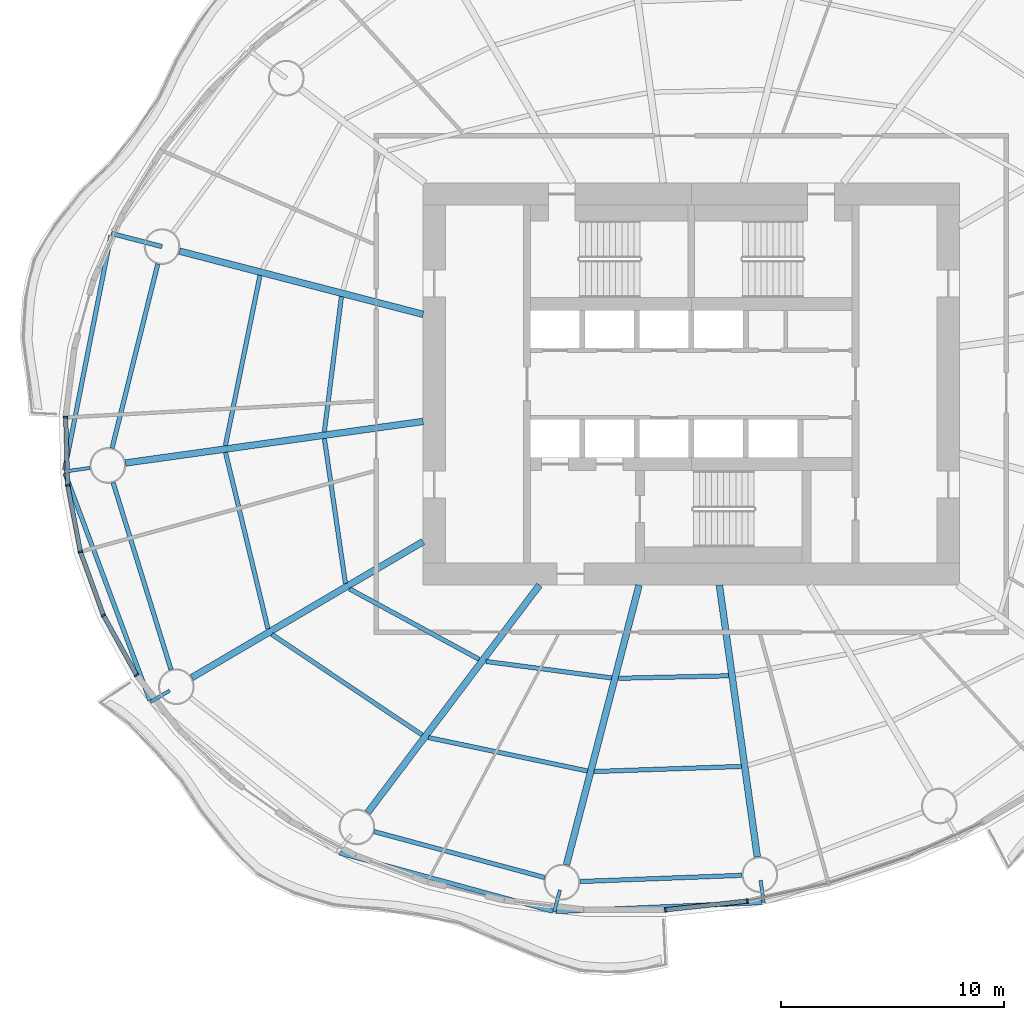
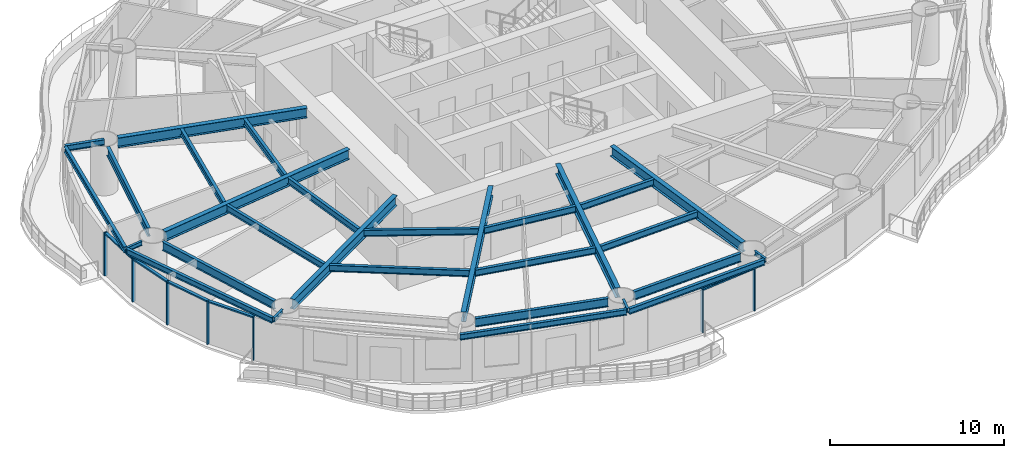
# One storey, part 2 of 16: 29 beams, 12 members, 6 elements without a shape of their own.
"""IFC4 building model written with IfcOpenShell, lengths in metres."""

from ifc_helpers import new_model, si_unit, direction, frame, origin, origin_2d, place, context, subcontext, project, spatial, rectangle, i_section, extrude, material, material_profile, profile_set, type_object, element, aggregate, save


model = new_model("IFC4")

# Units and contexts
model_context = context("Model", 3, precision=1e-05, world=origin(), true_north=direction((0.0, 1.0)))
body_context = subcontext(model_context, "Body", "Model", "MODEL_VIEW")
ifc_project = project(units=[si_unit("LENGTHUNIT", "METRE"), si_unit("AREAUNIT", "SQUARE_METRE"), si_unit("VOLUMEUNIT", "CUBIC_METRE"), si_unit("PLANEANGLEUNIT", "RADIAN"), si_unit("MASSUNIT", "GRAM", prefix="KILO")], contexts=[model_context])

# Site, building, storey
site_placement = place(None, origin())
site = spatial("IfcSite", under=ifc_project, at=site_placement, CompositionType="ELEMENT")
building_placement = place(site_placement, origin())
building = spatial("IfcBuilding", under=site, at=building_placement, Name="Vermilion Reach Broadcast Tower", CompositionType="ELEMENT")
storey_placement = place(building_placement, frame((0.0, 0.0, 95.800048828125)))
storey = spatial("IfcBuildingStorey", under=building, at=storey_placement, Name="L21", CompositionType="ELEMENT", Elevation=95.800048828125)

# Beams
ifc_material_1 = material(Name="Steel S355J2", Category="steel")
ifc_material_profile_1 = material_profile(ifc_material_1, i_section(OverallWidth=0.199951171875, OverallDepth=0.39990234375, WebThickness=0.008056640625, FlangeThickness=0.012939453125, at=origin_2d()), Name="S355J2 HN 400x200x8x13")
ifc_profile_set_1 = profile_set([ifc_material_profile_1], Name="Steel S355J2")
beam_type_1 = type_object("IfcBeamType", Name="EB2 HN 400x200x8x13", PredefinedType="BEAM", material=ifc_profile_set_1)
beam_1_placement = place(storey_placement, frame((-31.9697265625, 6.63720703125, 3.25), z_axis=(-0.193635927189, -0.981073456833, 0.0), x_axis=(0.981073456833, -0.193635927189, 0.0)))
element("IfcBeam", 1, at=beam_1_placement, inside=storey, type_object=beam_type_1, Name="Edge beam EB2-07", PredefinedType="BEAM", context=body_context, shape_type="SweptSolid", body=[
    extrude(i_section(OverallWidth=0.199951171875, OverallDepth=0.39990234375, WebThickness=0.008056640625, FlangeThickness=0.012939453125, at=origin_2d()), origin(), (0.0, 0.0, 1.0), 10.67919921875),
])
beam_2_placement = place(storey_placement, frame((-34.026123046875, -3.989501953125, 3.25), z_axis=(0.350179030407, -0.936682788709, 0.0), x_axis=(0.936682788709, 0.350179030407, 0.0)))
element("IfcBeam", 2, at=beam_2_placement, inside=storey, type_object=beam_type_1, Name="Edge beam EB2-08", PredefinedType="BEAM", context=body_context, shape_type="SweptSolid", body=[
    extrude(i_section(OverallWidth=0.199951171875, OverallDepth=0.39990234375, WebThickness=0.008056640625, FlangeThickness=0.012939453125, at=origin_2d()), origin(), (0.0, 0.0, 1.0), 10.8525390625),
])
beam_3_placement = place(storey_placement, frame((-21.747802734375, -20.984375, 3.25), z_axis=(0.964735920715, -0.263219686349, 0.0), x_axis=(0.263219686349, 0.964735920715, 0.0)))
element("IfcBeam", 3, at=beam_3_placement, inside=storey, type_object=beam_type_1, Name="Edge beam EB2-10", PredefinedType="BEAM", context=body_context, shape_type="SweptSolid", body=[
    extrude(i_section(OverallWidth=0.199951171875, OverallDepth=0.39990234375, WebThickness=0.008056640625, FlangeThickness=0.012939453125, at=origin_2d()), origin(), (0.0, 0.0, 1.0), 9.896484375),
])
beam_4_placement = place(storey_placement, frame((-12.04931640625, -23.605712890625, 3.25), z_axis=(0.999051457618, 0.043545206746, 0.0), x_axis=(-0.043545206746, 0.999051457618, 0.0)))
element("IfcBeam", 4, at=beam_4_placement, inside=storey, type_object=beam_type_1, Name="Edge beam EB2-11", PredefinedType="BEAM", context=body_context, shape_type="SweptSolid", body=[
    extrude(i_section(OverallWidth=0.199951171875, OverallDepth=0.39990234375, WebThickness=0.008056640625, FlangeThickness=0.012939453125, at=origin_2d()), origin(), (0.0, 0.0, 1.0), 9.222900390625),
])
ifc_material_2 = material(Name="Steel S355J2", Category="steel")
ifc_material_profile_2 = material_profile(ifc_material_2, i_section(OverallWidth=0.300048828125, OverallDepth=0.699951171875, WebThickness=0.012939453125, FlangeThickness=0.02392578125, at=origin_2d()), Name="S355J2 HN 700x300x13x24")
ifc_profile_set_2 = profile_set([ifc_material_profile_2], Name="Steel S355J2")
beam_type_2 = type_object("IfcBeamType", Name="G2 HN 700x300x13x24", PredefinedType="BEAM", material=ifc_profile_set_2)
beam_5_placement = place(storey_placement, frame((-18.0, 3.114501953125, 3.099853515625), z_axis=(-0.967926079816, 0.2512351568, 0.0), x_axis=(-0.2512351568, -0.967926079816, 0.0)))
element("IfcBeam", 5, at=beam_5_placement, inside=storey, type_object=beam_type_2, Name="Girder G2-07", PredefinedType="BEAM", context=body_context, shape_type="SweptSolid", body=[
    extrude(i_section(OverallWidth=0.300048828125, OverallDepth=0.699951171875, WebThickness=0.012939453125, FlangeThickness=0.02392578125, at=origin_2d()), origin(), (0.0, 0.0, 1.0), 11.265625),
])
beam_6_placement = place(storey_placement, frame((-18.0, -1.67578125, 3.099853515625), z_axis=(-0.990389457618, -0.138306623986, 0.0), x_axis=(0.138306623986, -0.990389457618, 0.0)))
element("IfcBeam", 6, at=beam_6_placement, inside=storey, type_object=beam_type_2, Name="Girder G2-08", PredefinedType="BEAM", context=body_context, shape_type="SweptSolid", body=[
    extrude(i_section(OverallWidth=0.300048828125, OverallDepth=0.699951171875, WebThickness=0.012939453125, FlangeThickness=0.02392578125, at=origin_2d()), origin(), (0.0, 0.0, 1.0), 13.445556640625),
])
beam_7_placement = place(storey_placement, frame((-18.0, -7.054443359375, 3.099853515625), z_axis=(-0.862071616631, -0.506786471603, 0.0), x_axis=(0.506786471603, -0.862071616631, 0.0)))
element("IfcBeam", 7, at=beam_7_placement, inside=storey, type_object=beam_type_2, Name="Girder G2-09", PredefinedType="BEAM", context=body_context, shape_type="SweptSolid", body=[
    extrude(i_section(OverallWidth=0.300048828125, OverallDepth=0.699951171875, WebThickness=0.012939453125, FlangeThickness=0.02392578125, at=origin_2d()), origin(), (0.0, 0.0, 1.0), 12.01025390625),
])
beam_8_placement = place(storey_placement, frame((-12.794189453125, -9.0, 3.099853515625), z_axis=(-0.602519842365, -0.798103902733, 0.0), x_axis=(0.798103902733, -0.602519842365, 0.0)))
element("IfcBeam", 8, at=beam_8_placement, inside=storey, type_object=beam_type_2, Name="Girder G2-10", PredefinedType="BEAM", context=body_context, shape_type="SweptSolid", body=[
    extrude(i_section(OverallWidth=0.300048828125, OverallDepth=0.699951171875, WebThickness=0.012939453125, FlangeThickness=0.02392578125, at=origin_2d()), origin(), (0.0, 0.0, 1.0), 12.758544921875),
])
beam_9_placement = place(storey_placement, frame((-8.3359375, -9.0, 3.099853515625), z_axis=(-0.25121695316, -0.967930804575, 0.0), x_axis=(0.967930804575, -0.25121695316, 0.0)))
element("IfcBeam", 9, at=beam_9_placement, inside=storey, type_object=beam_type_2, Name="Girder G2-11", PredefinedType="BEAM", context=body_context, shape_type="SweptSolid", body=[
    extrude(i_section(OverallWidth=0.300048828125, OverallDepth=0.699951171875, WebThickness=0.012939453125, FlangeThickness=0.02392578125, at=origin_2d()), origin(), (0.0, 0.0, 1.0), 12.93505859375),
])
beam_10_placement = place(storey_placement, frame((-4.7431640625, -9.0, 3.099853515625), z_axis=(0.138317561234, -0.990387930184, 0.0), x_axis=(0.990387930184, 0.138317561234, 0.0)))
element("IfcBeam", 10, at=beam_10_placement, inside=storey, type_object=beam_type_2, Name="Girder G2-12", PredefinedType="BEAM", context=body_context, shape_type="SweptSolid", body=[
    extrude(i_section(OverallWidth=0.300048828125, OverallDepth=0.699951171875, WebThickness=0.012939453125, FlangeThickness=0.02392578125, at=origin_2d()), origin(), (0.0, 0.0, 1.0), 12.281494140625),
])
ifc_material_3 = material(Name="Steel S355J2", Category="steel")
ifc_material_profile_3 = material_profile(ifc_material_3, i_section(OverallWidth=0.199951171875, OverallDepth=0.39990234375, WebThickness=0.008056640625, FlangeThickness=0.012939453125, at=origin_2d()), Name="S355J2 HN 400x200x8x13")
ifc_profile_set_3 = profile_set([ifc_material_profile_3], Name="Steel S355J2")
beam_type_3 = type_object("IfcBeamType", Name="GC2 HN 400x200x8x13", PredefinedType="BEAM", material=ifc_profile_set_3)
beam_11_placement = place(storey_placement, frame((-29.6787109375, 6.145751953125, 3.25), z_axis=(-0.96793134959, 0.251214853225, 0.0), x_axis=(-0.251214853225, -0.96793134959, 0.0)))
element("IfcBeam", 11, at=beam_11_placement, inside=storey, type_object=beam_type_3, Name="Cantilever girder GC2-07", PredefinedType="BEAM", context=body_context, shape_type="SweptSolid", body=[
    extrude(i_section(OverallWidth=0.199951171875, OverallDepth=0.39990234375, WebThickness=0.008056640625, FlangeThickness=0.012939453125, at=origin_2d()), origin(), (0.0, 0.0, 1.0), 2.346923828125),
])
ifc_material_4 = material(Name="Steel S355J2", Category="steel")
ifc_material_profile_4 = material_profile(ifc_material_4, i_section(OverallWidth=0.14990234375, OverallDepth=0.300048828125, WebThickness=0.006591796875, FlangeThickness=0.009033203125, at=origin_2d()), Name="S355J2 HN 300x150x6.5x9")
ifc_profile_set_4 = profile_set([ifc_material_profile_4], Name="Steel S355J2")
beam_type_4 = type_object("IfcBeamType", Name="GS2 HN 300x150x6.5x9", PredefinedType="BEAM", material=ifc_profile_set_4)
beam_12_placement = place(storey_placement, frame((-32.901123046875, -3.7568359375, 3.300048828125), z_axis=(-0.990385508733, -0.138334898316, 0.0), x_axis=(0.138334898316, -0.990385508733, 0.0)))
element("IfcBeam", 12, at=beam_12_placement, inside=storey, type_object=beam_type_4, Name="Cantilever stub GS2-08", PredefinedType="BEAM", context=body_context, shape_type="SweptSolid", body=[
    extrude(i_section(OverallWidth=0.14990234375, OverallDepth=0.300048828125, WebThickness=0.006591796875, FlangeThickness=0.009033203125, at=origin_2d()), origin(), (0.0, 0.0, 1.0), 1.1630859375),
])
beam_13_placement = place(storey_placement, frame((-29.337158203125, -13.71923828125, 3.300048828125), z_axis=(-0.862047161964, -0.506828068037, 0.0), x_axis=(0.506828068037, -0.862047161964, 0.0)))
element("IfcBeam", 13, at=beam_13_placement, inside=storey, type_object=beam_type_4, Name="Cantilever stub GS2-09", PredefinedType="BEAM", context=body_context, shape_type="SweptSolid", body=[
    extrude(i_section(OverallWidth=0.14990234375, OverallDepth=0.300048828125, WebThickness=0.006591796875, FlangeThickness=0.009033203125, at=origin_2d()), origin(), (0.0, 0.0, 1.0), 1.0),
])
beam_14_placement = place(storey_placement, frame((-11.87646484375, -22.641357421875, 3.300048828125), z_axis=(-0.251258738033, -0.967919958758, 0.0), x_axis=(0.967919958758, -0.251258738033, 0.0)))
element("IfcBeam", 14, at=beam_14_placement, inside=storey, type_object=beam_type_4, Name="Cantilever stub GS2-11", PredefinedType="BEAM", context=body_context, shape_type="SweptSolid", body=[
    extrude(i_section(OverallWidth=0.14990234375, OverallDepth=0.300048828125, WebThickness=0.006591796875, FlangeThickness=0.009033203125, at=origin_2d()), origin(), (0.0, 0.0, 1.0), 0.999755859375),
])
beam_15_placement = place(storey_placement, frame((-2.898193359375, -22.21044921875, 3.300048828125), z_axis=(0.13817375644, -0.990408003315, 0.0), x_axis=(0.990408003315, 0.13817375644, 0.0)))
element("IfcBeam", 15, at=beam_15_placement, inside=storey, type_object=beam_type_4, Name="Cantilever stub GS2-12", PredefinedType="BEAM", context=body_context, shape_type="SweptSolid", body=[
    extrude(i_section(OverallWidth=0.14990234375, OverallDepth=0.300048828125, WebThickness=0.006591796875, FlangeThickness=0.009033203125, at=origin_2d()), origin(), (0.0, 0.0, 1.0), 1.0),
])
ifc_material_5 = material(Name="Steel S355J2", Category="steel")
ifc_material_profile_5 = material_profile(ifc_material_5, i_section(OverallWidth=0.199951171875, OverallDepth=0.60009765625, WebThickness=0.010986328125, FlangeThickness=0.01708984375, at=origin_2d()), Name="S355J2 HN 600x200x11x17")
ifc_profile_set_5 = profile_set([ifc_material_profile_5], Name="Steel S355J2")
beam_type_5 = type_object("IfcBeamType", Name="RB2 HN 600x200x11x17", PredefinedType="BEAM", material=ifc_profile_set_5)
beam_16_placement = place(storey_placement, frame((-29.871337890625, 5.369384765625, 3.14990234375), z_axis=(-0.240863809798, -0.970558924089, 0.0), x_axis=(0.970558924089, -0.240863809798, 0.0)))
element("IfcBeam", 16, at=beam_16_placement, inside=storey, type_object=beam_type_5, Name="Ring beam RB2-07", PredefinedType="BEAM", context=body_context, shape_type="SweptSolid", body=[
    extrude(i_section(OverallWidth=0.199951171875, OverallDepth=0.60009765625, WebThickness=0.010986328125, FlangeThickness=0.01708984375, at=origin_2d()), origin(), (0.0, 0.0, 1.0), 8.489013671875),
])
beam_17_placement = place(storey_placement, frame((-31.872314453125, -4.410400390625, 3.14990234375), z_axis=(0.295788439635, -0.95525347368, 0.0), x_axis=(0.95525347368, 0.295788439635, 0.0)))
element("IfcBeam", 17, at=beam_17_placement, inside=storey, type_object=beam_type_5, Name="Ring beam RB2-08", PredefinedType="BEAM", context=body_context, shape_type="SweptSolid", body=[
    extrude(i_section(OverallWidth=0.199951171875, OverallDepth=0.60009765625, WebThickness=0.010986328125, FlangeThickness=0.01708984375, at=origin_2d()), origin(), (0.0, 0.0, 1.0), 8.763916015625),
])
beam_18_placement = place(storey_placement, frame((-20.19091796875, -20.029296875, 3.14990234375), z_axis=(0.965541463834, -0.260249268234, 0.0), x_axis=(0.260249268234, 0.965541463834, 0.0)))
element("IfcBeam", 18, at=beam_18_placement, inside=storey, type_object=beam_type_5, Name="Ring beam RB2-10", PredefinedType="BEAM", context=body_context, shape_type="SweptSolid", body=[
    extrude(i_section(OverallWidth=0.199951171875, OverallDepth=0.60009765625, WebThickness=0.010986328125, FlangeThickness=0.01708984375, at=origin_2d()), origin(), (0.0, 0.0, 1.0), 7.904541015625),
])
beam_19_placement = place(storey_placement, frame((-10.987060546875, -22.263916015625, 3.14990234375), z_axis=(0.999268558327, 0.038240663418, 0.0), x_axis=(-0.038240663418, 0.999268558327, 0.0)))
element("IfcBeam", 19, at=beam_19_placement, inside=storey, type_object=beam_type_5, Name="Ring beam RB2-11", PredefinedType="BEAM", context=body_context, shape_type="SweptSolid", body=[
    extrude(i_section(OverallWidth=0.199951171875, OverallDepth=0.60009765625, WebThickness=0.010986328125, FlangeThickness=0.01708984375, at=origin_2d()), origin(), (0.0, 0.0, 1.0), 7.259033203125),
])
ifc_material_6 = material(Name="Steel S355J2", Category="steel")
ifc_material_profile_6 = material_profile(ifc_material_6, i_section(OverallWidth=0.199951171875, OverallDepth=0.449951171875, WebThickness=0.009033203125, FlangeThickness=0.013916015625, at=origin_2d()), Name="S355J2 HN 450x200x9x14")
ifc_profile_set_6 = profile_set([ifc_material_profile_6], Name="Steel S355J2")
beam_type_6 = type_object("IfcBeamType", Name="SB2 HN 450x200x9x14", PredefinedType="BEAM", material=ifc_profile_set_6)
beam_20_placement = place(storey_placement, frame((-21.65380859375, 3.907958984375, 3.224853515625), z_axis=(-0.125557241128, -0.992086376885, 0.0), x_axis=(0.992086376885, -0.125557241128, 0.0)))
element("IfcBeam", 20, at=beam_20_placement, inside=storey, type_object=beam_type_6, Name="Secondary beam SB2-07-1", PredefinedType="BEAM", context=body_context, shape_type="SweptSolid", body=[
    extrude(i_section(OverallWidth=0.199951171875, OverallDepth=0.449951171875, WebThickness=0.009033203125, FlangeThickness=0.013916015625, at=origin_2d()), origin(), (0.0, 0.0, 1.0), 6.097900390625),
])
beam_21_placement = place(storey_placement, frame((-25.29931640625, 4.854248046875, 3.224853515625), z_axis=(-0.19906416804, -0.979986457561, 0.0), x_axis=(0.979986457561, -0.19906416804, 0.0)))
element("IfcBeam", 21, at=beam_21_placement, inside=storey, type_object=beam_type_6, Name="Secondary beam SB2-07-2", PredefinedType="BEAM", context=body_context, shape_type="SweptSolid", body=[
    extrude(i_section(OverallWidth=0.199951171875, OverallDepth=0.449951171875, WebThickness=0.009033203125, FlangeThickness=0.013916015625, at=origin_2d()), origin(), (0.0, 0.0, 1.0), 7.76953125),
])
beam_22_placement = place(storey_placement, frame((-22.417236328125, -2.444091796875, 3.224853515625), z_axis=(0.143973706518, -0.989581513485, 0.0), x_axis=(0.989581513485, 0.143973706518, 0.0)))
element("IfcBeam", 22, at=beam_22_placement, inside=storey, type_object=beam_type_6, Name="Secondary beam SB2-08-1", PredefinedType="BEAM", context=body_context, shape_type="SweptSolid", body=[
    extrude(i_section(OverallWidth=0.199951171875, OverallDepth=0.449951171875, WebThickness=0.009033203125, FlangeThickness=0.013916015625, at=origin_2d()), origin(), (0.0, 0.0, 1.0), 6.547119140625),
])
beam_23_placement = place(storey_placement, frame((-26.84228515625, -3.06201171875, 3.224853515625), z_axis=(0.234260568382, -0.972173845617, 0.0), x_axis=(0.972173845617, 0.234260568382, 0.0)))
element("IfcBeam", 23, at=beam_23_placement, inside=storey, type_object=beam_type_6, Name="Secondary beam SB2-08-2", PredefinedType="BEAM", context=body_context, shape_type="SweptSolid", body=[
    extrude(i_section(OverallWidth=0.199951171875, OverallDepth=0.449951171875, WebThickness=0.009033203125, FlangeThickness=0.013916015625, at=origin_2d()), origin(), (0.0, 0.0, 1.0), 8.123779296875),
])
beam_24_placement = place(storey_placement, frame((-21.29736328125, -9.1669921875, 3.224853515625), z_axis=(0.878713106774, -0.477350265512, 0.0), x_axis=(0.477350265512, 0.878713106774, 0.0)))
element("IfcBeam", 24, at=beam_24_placement, inside=storey, type_object=beam_type_6, Name="Secondary beam SB2-09-1", PredefinedType="BEAM", context=body_context, shape_type="SweptSolid", body=[
    extrude(i_section(OverallWidth=0.199951171875, OverallDepth=0.449951171875, WebThickness=0.009033203125, FlangeThickness=0.013916015625, at=origin_2d()), origin(), (0.0, 0.0, 1.0), 6.60888671875),
])
beam_25_placement = place(storey_placement, frame((-24.76416015625, -11.204833984375, 3.224853515625), z_axis=(0.830915400975, -0.556398774641, 0.0), x_axis=(0.556398774641, 0.830915400975, 0.0)))
element("IfcBeam", 25, at=beam_25_placement, inside=storey, type_object=beam_type_6, Name="Secondary beam SB2-09-2", PredefinedType="BEAM", context=body_context, shape_type="SweptSolid", body=[
    extrude(i_section(OverallWidth=0.199951171875, OverallDepth=0.449951171875, WebThickness=0.009033203125, FlangeThickness=0.013916015625, at=origin_2d()), origin(), (0.0, 0.0, 1.0), 8.087646484375),
])
beam_26_placement = place(storey_placement, frame((-15.185546875, -12.416748046875, 3.224853515625), z_axis=(0.991498686864, -0.130116693573, 0.0), x_axis=(0.130116693573, 0.991498686864, 0.0)))
element("IfcBeam", 26, at=beam_26_placement, inside=storey, type_object=beam_type_6, Name="Secondary beam SB2-10-1", PredefinedType="BEAM", context=body_context, shape_type="SweptSolid", body=[
    extrude(i_section(OverallWidth=0.199951171875, OverallDepth=0.449951171875, WebThickness=0.009033203125, FlangeThickness=0.013916015625, at=origin_2d()), origin(), (0.0, 0.0, 1.0), 5.66455078125),
])
beam_27_placement = place(storey_placement, frame((-17.7568359375, -15.822509765625, 3.224853515625), z_axis=(0.978631382549, -0.205622511148, 0.0), x_axis=(0.205622511148, 0.978631382549, 0.0)))
element("IfcBeam", 27, at=beam_27_placement, inside=storey, type_object=beam_type_6, Name="Secondary beam SB2-10-2", PredefinedType="BEAM", context=body_context, shape_type="SweptSolid", body=[
    extrude(i_section(OverallWidth=0.199951171875, OverallDepth=0.449951171875, WebThickness=0.009033203125, FlangeThickness=0.013916015625, at=origin_2d()), origin(), (0.0, 0.0, 1.0), 7.262939453125),
])
beam_28_placement = place(storey_placement, frame((-9.26318359375, -13.169921875, 3.224853515625), z_axis=(0.999742320425, 0.022700060602, 0.0), x_axis=(-0.022700060602, 0.999742320425, 0.0)))
element("IfcBeam", 28, at=beam_28_placement, inside=storey, type_object=beam_type_6, Name="Secondary beam SB2-11-1", PredefinedType="BEAM", context=body_context, shape_type="SweptSolid", body=[
    extrude(i_section(OverallWidth=0.199951171875, OverallDepth=0.449951171875, WebThickness=0.009033203125, FlangeThickness=0.013916015625, at=origin_2d()), origin(), (0.0, 0.0, 1.0), 4.9365234375),
])
beam_29_placement = place(storey_placement, frame((-10.345947265625, -17.34130859375, 3.224853515625), z_axis=(0.999404722387, 0.03449928797, 0.0), x_axis=(-0.03449928797, 0.999404722387, 0.0)))
element("IfcBeam", 29, at=beam_29_placement, inside=storey, type_object=beam_type_6, Name="Secondary beam SB2-11-2", PredefinedType="BEAM", context=body_context, shape_type="SweptSolid", body=[
    extrude(i_section(OverallWidth=0.199951171875, OverallDepth=0.449951171875, WebThickness=0.009033203125, FlangeThickness=0.013916015625, at=origin_2d()), origin(), (0.0, 0.0, 1.0), 6.58837890625),
])

# Curtain wall, member
ifc_material_7 = material(Name="Low-e laminated clear glass in aluminium frame", Category="aluminium")
curtain_wall_type = type_object("IfcCurtainWallType", Name="Slot curtain wall", PredefinedType="NOTDEFINED", material=ifc_material_7)
placement = place(storey_placement, origin())
curtain_wall_1 = element("IfcCurtainWall", 30, at=placement, inside=storey, type_object=curtain_wall_type, Name="Slot curtain wall L21 22", PredefinedType="NOTDEFINED")
ifc_material_8 = material(Name="Anodised aluminium", Category="aluminium")
ifc_material_profile_7 = material_profile(ifc_material_8, rectangle(XDim=0.199951171875, YDim=0.080078125, at=origin_2d()), Name="Slot mullion 80 x 200")
ifc_profile_set_7 = profile_set([ifc_material_profile_7], Name="Anodised aluminium")
member_type_1 = type_object("IfcMemberType", Name="Slot mullion 80 x 200", PredefinedType="MULLION", material=ifc_profile_set_7)
member_1_placement = place(storey_placement, frame((-33.992919921875, -1.4853515625, 0.0), z_axis=(0.0, 0.0, 1.0), x_axis=(0.998878800826, -0.047340693494, 0.0)))
member_1 = element("IfcMember", 31, at=member_1_placement, type_object=member_type_1, Name="Slot mullion L21 22", PredefinedType="MULLION", context=body_context, shape_type="SweptSolid", body=[
    extrude(rectangle(XDim=0.199951171875, YDim=0.080078125, at=origin_2d()), origin(), (0.0, 0.0, 1.0), 3.050048828125),
])

curtain_wall_2 = element("IfcCurtainWall", 32, at=placement, inside=storey, type_object=curtain_wall_type, Name="Slot curtain wall L21 23", PredefinedType="NOTDEFINED")
member_2_placement = place(storey_placement, frame((-33.901611328125, -4.5361328125, 0.0), z_axis=(0.0, 0.0, 1.0), x_axis=(0.994054204078, 0.108886359823, 0.0)))
member_2 = element("IfcMember", 33, at=member_2_placement, type_object=member_type_1, Name="Slot mullion L21 23", PredefinedType="MULLION", context=body_context, shape_type="SweptSolid", body=[
    extrude(rectangle(XDim=0.199951171875, YDim=0.080078125, at=origin_2d()), origin(), (0.0, 0.0, 1.0), 3.050048828125),
])

curtain_wall_3 = element("IfcCurtainWall", 34, at=placement, inside=storey, type_object=curtain_wall_type, Name="Slot curtain wall L21 24", PredefinedType="NOTDEFINED")
member_3_placement = place(storey_placement, frame((-33.335205078125, -7.5087890625, 0.0), z_axis=(0.0, 0.0, 1.0), x_axis=(0.964280534329, 0.264883089521, 0.0)))
member_3 = element("IfcMember", 35, at=member_3_placement, type_object=member_type_1, Name="Slot mullion L21 24", PredefinedType="MULLION", context=body_context, shape_type="SweptSolid", body=[
    extrude(rectangle(XDim=0.199951171875, YDim=0.080078125, at=origin_2d()), origin(), (0.0, 0.0, 1.0), 3.050048828125),
])

# Curtain wall, members
curtain_wall_4 = element("IfcCurtainWall", 36, at=placement, inside=storey, type_object=curtain_wall_type, Name="Slot curtain wall L21 25", PredefinedType="NOTDEFINED")
member_4_placement = place(storey_placement, frame((-32.303466796875, -10.353759765625, 0.0), z_axis=(0.0, 0.0, 1.0), x_axis=(0.910186416265, 0.414198850369, 0.0)))
member_4 = element("IfcMember", 37, at=member_4_placement, type_object=member_type_1, Name="Slot mullion L21 25", PredefinedType="MULLION", context=body_context, shape_type="SweptSolid", body=[
    extrude(rectangle(XDim=0.199951171875, YDim=0.080078125, at=origin_2d()), origin(), (0.0, 0.0, 1.0), 3.050048828125),
])
member_5_placement = place(storey_placement, frame((-30.823486328125, -13.023193359375, 0.0), z_axis=(0.0, 0.0, 1.0), x_axis=(0.834526522508, 0.550967769684, 0.0)))
member_5 = element("IfcMember", 38, at=member_5_placement, type_object=member_type_1, Name="Slot mullion L21 26", PredefinedType="MULLION", context=body_context, shape_type="SweptSolid", body=[
    extrude(rectangle(XDim=0.199951171875, YDim=0.080078125, at=origin_2d()), origin(), (0.0, 0.0, 1.0), 3.050048828125),
])

# Curtain wall, member
curtain_wall_5 = element("IfcCurtainWall", 39, at=placement, inside=storey, type_object=curtain_wall_type, Name="Slot curtain wall L21 34", PredefinedType="NOTDEFINED")
member_6_placement = place(storey_placement, frame((-7.158935546875, -23.52978515625, 0.0), z_axis=(0.0, 0.0, 1.0), x_axis=(-0.05162143582, 0.998666724871, 0.0)))
member_6 = element("IfcMember", 40, at=member_6_placement, type_object=member_type_1, Name="Slot mullion L21 34", PredefinedType="MULLION", context=body_context, shape_type="SweptSolid", body=[
    extrude(rectangle(XDim=0.199951171875, YDim=0.080078125, at=origin_2d()), origin(), (0.0, 0.0, 1.0), 3.050048828125),
])

curtain_wall_6 = element("IfcCurtainWall", 41, at=placement, inside=storey, type_object=curtain_wall_type, Name="Slot curtain wall L21 35", PredefinedType="NOTDEFINED")
member_7_placement = place(storey_placement, frame((-3.48876953125, -23.137451171875, 0.0), z_axis=(0.0, 0.0, 1.0), x_axis=(-0.159778927645, 0.987152822151, 0.0)))
member_7 = element("IfcMember", 42, at=member_7_placement, type_object=member_type_1, Name="Slot mullion L21 35", PredefinedType="MULLION", context=body_context, shape_type="SweptSolid", body=[
    extrude(rectangle(XDim=0.199951171875, YDim=0.080078125, at=origin_2d()), origin(), (0.0, 0.0, 1.0), 3.050048828125),
])
aggregate(curtain_wall_6, [member_7])

# Member
ifc_material_9 = material(Name="Anodised aluminium", Category="aluminium")
ifc_material_profile_8 = material_profile(ifc_material_9, rectangle(XDim=0.199951171875, YDim=0.10009765625, at=origin_2d()), Name="Slot transom 200 x 100")
ifc_profile_set_8 = profile_set([ifc_material_profile_8], Name="Anodised aluminium")
member_type_2 = type_object("IfcMemberType", Name="Slot transom 200 x 100", PredefinedType="USERDEFINED", material=ifc_profile_set_8)
member_8_placement = place(storey_placement, frame((-33.99169921875, -1.525390625, 3.0), z_axis=(0.029901153947, -0.999552860529, 0.0), x_axis=(0.999552860529, 0.029901153947, 0.0)))
member_8 = element("IfcMember", 43, at=member_8_placement, type_object=member_type_2, Name="Slot transom L21 22.1", ObjectType="TRANSOM", PredefinedType="USERDEFINED", context=body_context, shape_type="SweptSolid", body=[
    extrude(rectangle(XDim=0.199951171875, YDim=0.10009765625, at=origin_2d()), origin(), (0.0, 0.0, 1.0), 2.971923828125),
])

aggregate(curtain_wall_1, [member_1, member_8])

member_9_placement = place(storey_placement, frame((-33.89404296875, -4.575439453125, 3.0), z_axis=(0.187119723916, -0.98233711572, 0.0), x_axis=(0.98233711572, 0.187119723916, 0.0)))
member_9 = element("IfcMember", 44, at=member_9_placement, type_object=member_type_2, Name="Slot transom L21 23.1", ObjectType="TRANSOM", PredefinedType="USERDEFINED", context=body_context, shape_type="SweptSolid", body=[
    extrude(rectangle(XDim=0.199951171875, YDim=0.10009765625, at=origin_2d()), origin(), (0.0, 0.0, 1.0), 2.946044921875),
])

aggregate(curtain_wall_2, [member_2, member_9])

member_10_placement = place(storey_placement, frame((-33.321533203125, -7.54638671875, 3.0), z_axis=(0.340904604389, -0.940097894214, 0.0), x_axis=(0.940097894214, 0.340904604389, 0.0)))
member_10 = element("IfcMember", 45, at=member_10_placement, type_object=member_type_2, Name="Slot transom L21 24.1", ObjectType="TRANSOM", PredefinedType="USERDEFINED", context=body_context, shape_type="SweptSolid", body=[
    extrude(rectangle(XDim=0.199951171875, YDim=0.10009765625, at=origin_2d()), origin(), (0.0, 0.0, 1.0), 2.9462890625),
])

aggregate(curtain_wall_3, [member_3, member_10])

member_11_placement = place(storey_placement, frame((-32.2841796875, -10.388671875, 3.0), z_axis=(0.484889516031, -0.874575415412, 0.0), x_axis=(0.874575415412, 0.484889516031, 0.0)))
member_11 = element("IfcMember", 46, at=member_11_placement, type_object=member_type_2, Name="Slot transom L21 25.1", ObjectType="TRANSOM", PredefinedType="USERDEFINED", context=body_context, shape_type="SweptSolid", body=[
    extrude(rectangle(XDim=0.199951171875, YDim=0.10009765625, at=origin_2d()), origin(), (0.0, 0.0, 1.0), 2.97216796875),
])

aggregate(curtain_wall_4, [member_4, member_5, member_11])

member_12_placement = place(storey_placement, frame((-7.119140625, -23.525634765625, 3.0), z_axis=(0.994328831419, 0.106349306577, 0.0), x_axis=(-0.106349306577, 0.994328831419, 0.0)))
member_12 = element("IfcMember", 47, at=member_12_placement, type_object=member_type_2, Name="Slot transom L21 34.1", ObjectType="TRANSOM", PredefinedType="USERDEFINED", context=body_context, shape_type="SweptSolid", body=[
    extrude(rectangle(XDim=0.199951171875, YDim=0.10009765625, at=origin_2d()), origin(), (0.0, 0.0, 1.0), 3.611083984375),
])

aggregate(curtain_wall_5, [member_6, member_12])

save(model, "model.ifc")
